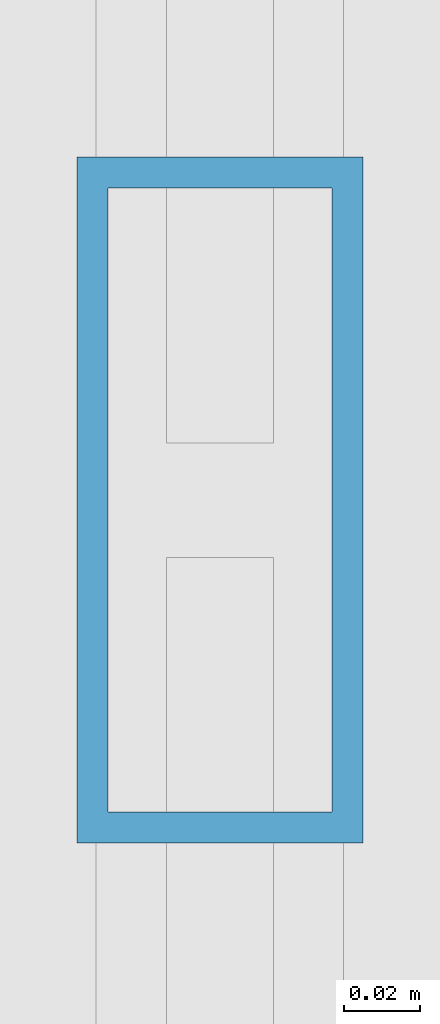
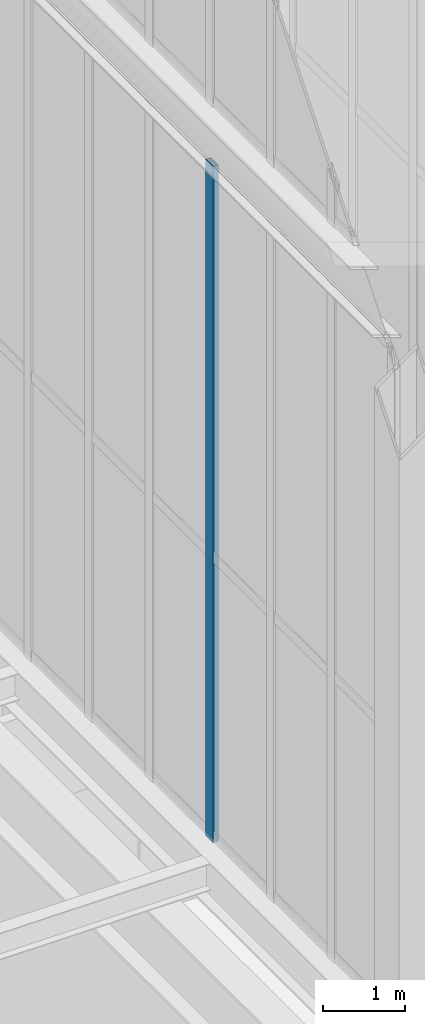
# One storey, part 51 of 135: 1 member, 1 element without a shape of its own.
"""IFC4 building model written with IfcOpenShell, lengths in metres."""

import ifcopenshell
import ifcopenshell.guid

model = None  # the IFC model being written
_history = None  # IfcOwnerHistory: only IFC2X3 demands one
_inside = {}  # id of a spatial element -> (the spatial element, [elements in it])
_under = {}  # id of a project, library or spatial element -> (it, [spatial elements below it])
_declared = {}  # id of a project -> (the project, [libraries it declares])
_typed = {}  # id of a type object -> (the type object, [elements of that type])
_made_of = {}  # id of a material, layer set ... -> (it, [elements and type objects made of it])


def new_model(schema):
    """Start an empty IFC model of exactly this schema.

    Asked for "IFC4X3", IfcOpenShell would pick the latest addendum, in which some entities
    have other attributes; the version numbers below select the first issue.
    IFC2X3 requires an IfcOwnerHistory on every rooted entity: one is made here for all.
    """
    global model, _history
    if schema == "IFC4X3":
        model = ifcopenshell.file(schema_version=(4, 3, 0, 0))
    else:
        model = ifcopenshell.file(schema=schema)
    _inside.clear()
    _under.clear()
    _declared.clear()
    _typed.clear()
    _made_of.clear()
    _history = None
    if model.schema == "IFC2X3":
        org = make("IfcOrganization", Name="unknown")
        user = make(
            "IfcPersonAndOrganization",
            ThePerson=make("IfcPerson", FamilyName="unknown"),
            TheOrganization=org,
        )
        app = make(
            "IfcApplication",
            ApplicationDeveloper=org,
            Version="unknown",
            ApplicationFullName="unknown",
            ApplicationIdentifier="unknown",
        )
        _history = make(
            "IfcOwnerHistory",
            OwningUser=user,
            OwningApplication=app,
            ChangeAction="ADDED",
            CreationDate=0,
        )
    return model


def make(cls, **values):
    """One entity of the class cls with the attributes given. An attribute that is None is left unset."""
    return model.create_entity(
        cls, **{name: value for name, value in values.items() if value is not None}
    )


def rooted(cls, **values):
    """An entity with a GlobalId (a new one), such as an element, a storey or a relation."""
    return make(cls, GlobalId=ifcopenshell.guid.new(), OwnerHistory=_history, **values)


def si_unit(unit_type, name, prefix=None):
    """IfcSIUnit, for example si_unit("LENGTHUNIT", "METRE", prefix="MILLI")."""
    return make("IfcSIUnit", UnitType=unit_type, Prefix=prefix, Name=name)


def assignment(units):
    """IfcUnitAssignment: the units of a project."""
    return None if units is None else make("IfcUnitAssignment", Units=units)


def point(xyz):
    """IfcCartesianPoint."""
    return None if xyz is None else make("IfcCartesianPoint", Coordinates=xyz)


def direction(xyz):
    """IfcDirection."""
    return None if xyz is None else make("IfcDirection", DirectionRatios=xyz)


def frame(location, z_axis=None, x_axis=None):
    """IfcAxis2Placement3D, a coordinate frame: its origin and axes. An axis left out is left unset."""
    return make(
        "IfcAxis2Placement3D",
        Location=point(location),
        Axis=direction(z_axis),
        RefDirection=direction(x_axis),
    )


def frame_2d(location, x_axis=None):
    """IfcAxis2Placement2D, a coordinate frame in the plane: its origin and x axis."""
    return make(
        "IfcAxis2Placement2D", Location=point(location), RefDirection=direction(x_axis)
    )


def origin():
    """The frame at (0, 0, 0) with its axes left unset."""
    return frame((0.0, 0.0, 0.0))


def origin_2d():
    """The frame at (0, 0) in the plane with its x axis left unset."""
    return frame_2d((0.0, 0.0))


def place(relative_to, where):
    """IfcLocalPlacement: puts the frame where relative to a parent placement (None: the world)."""
    return make(
        "IfcLocalPlacement", PlacementRelTo=relative_to, RelativePlacement=where
    )


def context(
    kind, dimensions, precision=None, world=None, true_north=None, identifier=None
):
    """IfcGeometricRepresentationContext, for example the 3D "Model" context."""
    return make(
        "IfcGeometricRepresentationContext",
        ContextIdentifier=identifier,
        ContextType=kind,
        CoordinateSpaceDimension=dimensions,
        Precision=precision,
        WorldCoordinateSystem=world,
        TrueNorth=true_north,
    )


def subcontext(parent, identifier, kind, view, scale=None):
    """IfcGeometricRepresentationSubContext, for example "Body" below "Model"."""
    return make(
        "IfcGeometricRepresentationSubContext",
        ContextIdentifier=identifier,
        ContextType=kind,
        ParentContext=parent,
        TargetScale=scale,
        TargetView=view,
    )


def project(units=None, contexts=None):
    """IfcProject with its units and contexts."""
    return rooted(
        "IfcProject",
        Name="project",
        RepresentationContexts=contexts,
        UnitsInContext=assignment(units),
    )


def spatial(cls, under=None, at=None, **own):
    """A site, building, storey or space (cls), placed at a placement, below another one or the project."""
    s = rooted(cls, ObjectPlacement=at, **own)
    if under is not None:
        _under.setdefault(under.id(), (under, []))[1].append(s)
    return s


def profile(cls, at=None, kind="AREA", **sizes):
    """A parametric profile (cls). Its sizes go by their IFC names, for example OverallWidth=200.0."""
    return make(cls, ProfileType=kind, Position=at, **sizes)


def hollow_rectangle(**sizes):
    """IfcRectangleHollowProfileDef."""
    return profile("IfcRectangleHollowProfileDef", **sizes)


def extrude(swept, where, along, depth):
    """IfcExtrudedAreaSolid: the profile swept, set in the frame where, extruded along a direction by depth."""
    return make(
        "IfcExtrudedAreaSolid",
        SweptArea=swept,
        Position=where,
        ExtrudedDirection=direction(along),
        Depth=depth,
    )


def shape(context_of_items, identifier, shape_type, items):
    """IfcShapeRepresentation: the items that make up one representation, for example the "Body"."""
    return make(
        "IfcShapeRepresentation",
        ContextOfItems=context_of_items,
        RepresentationIdentifier=identifier,
        RepresentationType=shape_type,
        Items=items,
    )


def source(mapping_origin, context_of_items, identifier, shape_type, items):
    """IfcRepresentationMap: a shape defined once, which mapped items show again and again."""
    return make(
        "IfcRepresentationMap",
        MappingOrigin=mapping_origin,
        MappedRepresentation=shape(context_of_items, identifier, shape_type, items),
    )


def transform(
    local_origin,
    x_axis=None,
    y_axis=None,
    z_axis=None,
    scale=None,
    scale2=None,
    scale3=None,
    uniform=True,
):
    """IfcCartesianTransformationOperator3D, or its non-uniform kind. x_axis, y_axis, z_axis: its Axis1, 2, 3."""
    if uniform:
        return make(
            "IfcCartesianTransformationOperator3D",
            Axis1=direction(x_axis),
            Axis2=direction(y_axis),
            LocalOrigin=point(local_origin),
            Scale=scale,
            Axis3=direction(z_axis),
        )
    return make(
        "IfcCartesianTransformationOperator3DnonUniform",
        Axis1=direction(x_axis),
        Axis2=direction(y_axis),
        LocalOrigin=point(local_origin),
        Scale=scale,
        Axis3=direction(z_axis),
        Scale2=scale2,
        Scale3=scale3,
    )


def mapped(mapping_source, mapping_target):
    """IfcMappedItem: shows the shape of a source again, moved by a transform."""
    return make(
        "IfcMappedItem", MappingSource=mapping_source, MappingTarget=mapping_target
    )


def material(Name=None, Category=None):
    """IfcMaterial."""
    return make("IfcMaterial", Name=Name, Category=Category)


def layer(
    of_material, thickness, ventilated=None, Name=None, Category=None, Priority=None
):
    """IfcMaterialLayer: one layer of a wall or slab, of a material (None: an air gap)."""
    return make(
        "IfcMaterialLayer",
        Material=of_material,
        LayerThickness=thickness,
        IsVentilated=ventilated,
        Name=Name,
        Category=Category,
        Priority=Priority,
    )


def layer_set(layers, Name=None):
    """IfcMaterialLayerSet."""
    return make("IfcMaterialLayerSet", MaterialLayers=layers, LayerSetName=Name)


def material_profile(
    of_material, cross_section, Name=None, Category=None, Priority=None
):
    """IfcMaterialProfile: a cross section and its material."""
    return make(
        "IfcMaterialProfile",
        Name=Name,
        Material=of_material,
        Profile=cross_section,
        Priority=Priority,
        Category=Category,
    )


def profile_set(profiles, Name=None, composite=None):
    """IfcMaterialProfileSet."""
    return make(
        "IfcMaterialProfileSet",
        Name=Name,
        MaterialProfiles=profiles,
        CompositeProfile=composite,
    )


def made_of(thing, what):
    """Note that an element or type object is made of a material, layer set ...; save() writes the relation."""
    if what is not None:
        _made_of.setdefault(what.id(), (what, []))[1].append(thing)
    return thing


def type_object(cls, material=None, **own):
    """A type object (cls), such as IfcWallType, which elements share."""
    return made_of(rooted(cls, **own), material)


def element(
    cls,
    number,
    at=None,
    inside=None,
    cuts=None,
    type_object=None,
    material=None,
    context=None,
    identifier="Body",
    shape_type=None,
    held_by="IfcProductDefinitionShape",
    body=None,
    shapes=None,
    **own,
):
    """One element of the class cls, such as IfcWall. Its Tag is "e" and its number.

    at: its placement. inside: the storey or other place that contains it. cuts: it is an
    opening in that element (IfcRelVoidsElement). A single representation is given by context,
    identifier, shape_type and body (its items); several are given by shapes. held_by: the class
    of the entity that holds the representations. save() writes the other relations.
    """
    e = rooted(cls, Tag="e%d" % number, ObjectPlacement=at, **own)
    if body is not None:
        shapes = [shape(context, identifier, shape_type, body)]
    if shapes is not None:
        e.Representation = make(held_by, Representations=shapes)
    if inside is not None:
        _inside.setdefault(inside.id(), (inside, []))[1].append(e)
    if cuts is not None:
        rooted(
            "IfcRelVoidsElement", RelatingBuildingElement=cuts, RelatedOpeningElement=e
        )
    if type_object is not None:
        _typed.setdefault(type_object.id(), (type_object, []))[1].append(e)
    return made_of(e, material)


def aggregate(whole, parts):
    """IfcRelAggregates: a whole, such as a stair, and the parts it consists of."""
    return rooted("IfcRelAggregates", RelatingObject=whole, RelatedObjects=parts)


def save(model, path):
    """Write the relations noted so far, then the file.

    IfcRelAggregates (storeys below a building ...), IfcRelContainedInSpatialStructure (elements
    in a storey), IfcRelDefinesByType, IfcRelAssociatesMaterial and IfcRelDeclares: one each for
    every whole, place, type object, material and project.
    """
    for whole, parts in _under.values():
        aggregate(whole, parts)
    for where, things in _inside.values():
        rooted(
            "IfcRelContainedInSpatialStructure",
            RelatedElements=things,
            RelatingStructure=where,
        )
    for kind, things in _typed.values():
        rooted("IfcRelDefinesByType", RelatedObjects=things, RelatingType=kind)
    for what, things in _made_of.values():
        rooted("IfcRelAssociatesMaterial", RelatedObjects=things, RelatingMaterial=what)
    for by, libraries in _declared.values():
        rooted("IfcRelDeclares", RelatingContext=by, RelatedDefinitions=libraries)
    model.write(path)


model = new_model("IFC4")

# Units and contexts
model_context = context("Model", 3, precision=1e-05, world=origin(), true_north=direction((0.0, 1.0)))
body_context = subcontext(model_context, "Body", "Model", "MODEL_VIEW")
ifc_project = project(units=[si_unit("LENGTHUNIT", "METRE"), si_unit("AREAUNIT", "SQUARE_METRE"), si_unit("VOLUMEUNIT", "CUBIC_METRE"), si_unit("PLANEANGLEUNIT", "RADIAN"), si_unit("MASSUNIT", "GRAM", prefix="KILO")], contexts=[model_context])

# Site, building, storey
site_placement = place(None, origin())
site = spatial("IfcSite", under=ifc_project, at=site_placement, CompositionType="ELEMENT")
building_placement = place(site_placement, origin())
building = spatial("IfcBuilding", under=site, at=building_placement, Name="Giltprow Tower", CompositionType="ELEMENT")
storey_placement = place(building_placement, frame((0.0, 0.0, 352.699951171875)))
storey = spatial("IfcBuildingStorey", under=building, at=storey_placement, Name="L92", CompositionType="ELEMENT", Elevation=352.699951171875)

# Curtain wall, member
ifc_material = material(Name="Anodized bronze", Category="metal")
ifc_layer = layer(ifc_material, 0.179931640625, Name="Anodized bronze")
ifc_layer_set = layer_set([ifc_layer], Name="Anodized bronze")
curtain_wall_type = type_object("IfcCurtainWallType", Name="CW-CROWN-LANTERN", PredefinedType="NOTDEFINED", material=ifc_layer_set)
curtain_wall_placement = place(storey_placement, origin())
curtain_wall = element("IfcCurtainWall", 1, at=curtain_wall_placement, inside=storey, type_object=curtain_wall_type, Name="Crown East Lower Lantern Glazing 6", PredefinedType="NOTDEFINED")
ifc_material_profile = material_profile(ifc_material, hollow_rectangle(XDim=0.074951171875, YDim=0.179931640625, WallThickness=0.008056640625, at=origin_2d()), Name="RHS 180x75x8")
ifc_profile_set = profile_set([ifc_material_profile], Name="Anodized bronze")
member_type = type_object("IfcMemberType", Name="CW-MULLION-180x75", PredefinedType="MULLION", material=ifc_profile_set)
shared_shape = source(origin(), body_context, "Body", "SweptSolid", [
    extrude(hollow_rectangle(XDim=0.074951171875, YDim=0.179931640625, WallThickness=0.008056640625, at=origin_2d()), origin(), (0.0, 0.0, 1.0), 10.030029296875),
])
member_placement = place(storey_placement, frame((44.300048828125, 28.26708984375, 6.35009765625), z_axis=(0.0, 0.0, 1.0), x_axis=(1.0, 0.0, 0.0)))
member = element("IfcMember", 2, at=member_placement, type_object=member_type, Name="Crown East Lower Lantern Glazing 6 Mullion 7", PredefinedType="MULLION", context=body_context, shape_type="MappedRepresentation", body=[
    mapped(shared_shape, transform((0.0, 0.0, 0.0), x_axis=(1.0, 0.0, 0.0), y_axis=(0.0, 1.0, 0.0), z_axis=(0.0, 0.0, 1.0), scale=1.0)),
])
aggregate(curtain_wall, [member])

save(model, "model.ifc")
